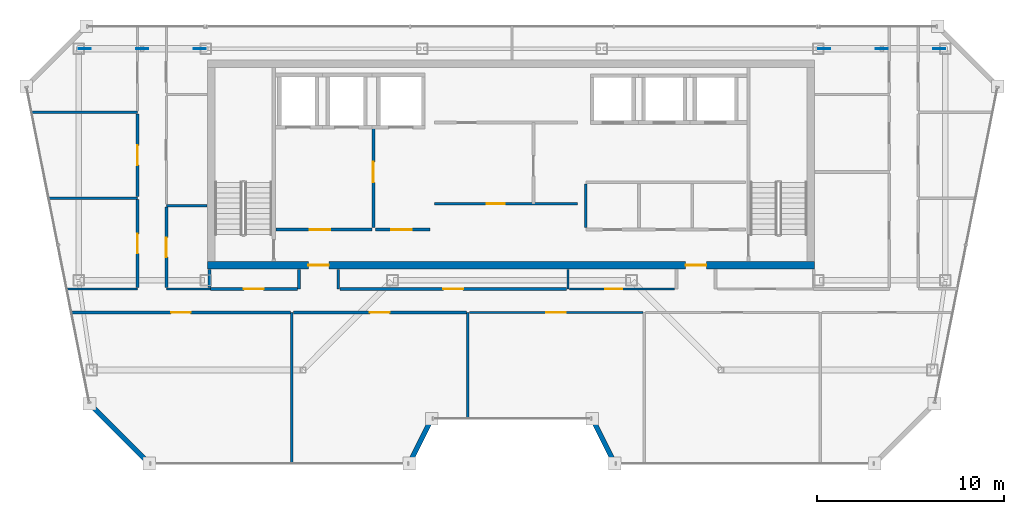
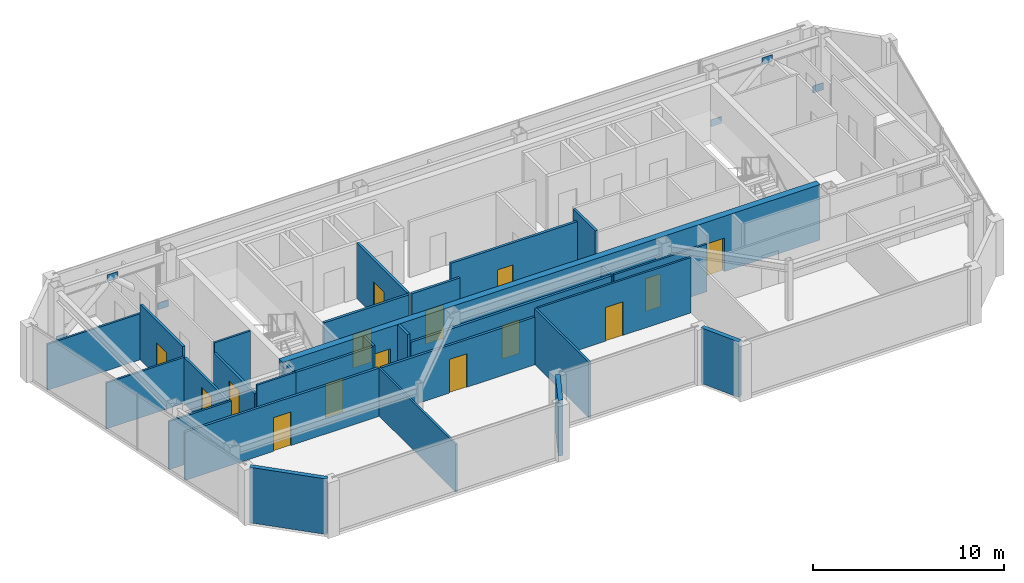
# One storey, part 18 of 24: 29 walls, 15 doors, 6 plates, 15 openings.
"""IFC4 building model written with IfcOpenShell, lengths in metres."""

import ifcopenshell
import ifcopenshell.guid

model = None  # the IFC model being written
_history = None  # IfcOwnerHistory: only IFC2X3 demands one
_inside = {}  # id of a spatial element -> (the spatial element, [elements in it])
_under = {}  # id of a project, library or spatial element -> (it, [spatial elements below it])
_declared = {}  # id of a project -> (the project, [libraries it declares])
_typed = {}  # id of a type object -> (the type object, [elements of that type])
_made_of = {}  # id of a material, layer set ... -> (it, [elements and type objects made of it])


def new_model(schema):
    """Start an empty IFC model of exactly this schema.

    Asked for "IFC4X3", IfcOpenShell would pick the latest addendum, in which some entities
    have other attributes; the version numbers below select the first issue.
    IFC2X3 requires an IfcOwnerHistory on every rooted entity: one is made here for all.
    """
    global model, _history
    if schema == "IFC4X3":
        model = ifcopenshell.file(schema_version=(4, 3, 0, 0))
    else:
        model = ifcopenshell.file(schema=schema)
    _inside.clear()
    _under.clear()
    _declared.clear()
    _typed.clear()
    _made_of.clear()
    _history = None
    if model.schema == "IFC2X3":
        org = make("IfcOrganization", Name="unknown")
        user = make(
            "IfcPersonAndOrganization",
            ThePerson=make("IfcPerson", FamilyName="unknown"),
            TheOrganization=org,
        )
        app = make(
            "IfcApplication",
            ApplicationDeveloper=org,
            Version="unknown",
            ApplicationFullName="unknown",
            ApplicationIdentifier="unknown",
        )
        _history = make(
            "IfcOwnerHistory",
            OwningUser=user,
            OwningApplication=app,
            ChangeAction="ADDED",
            CreationDate=0,
        )
    return model


def make(cls, **values):
    """One entity of the class cls with the attributes given. An attribute that is None is left unset."""
    return model.create_entity(
        cls, **{name: value for name, value in values.items() if value is not None}
    )


def rooted(cls, **values):
    """An entity with a GlobalId (a new one), such as an element, a storey or a relation."""
    return make(cls, GlobalId=ifcopenshell.guid.new(), OwnerHistory=_history, **values)


def si_unit(unit_type, name, prefix=None):
    """IfcSIUnit, for example si_unit("LENGTHUNIT", "METRE", prefix="MILLI")."""
    return make("IfcSIUnit", UnitType=unit_type, Prefix=prefix, Name=name)


def assignment(units):
    """IfcUnitAssignment: the units of a project."""
    return None if units is None else make("IfcUnitAssignment", Units=units)


def point(xyz):
    """IfcCartesianPoint."""
    return None if xyz is None else make("IfcCartesianPoint", Coordinates=xyz)


def direction(xyz):
    """IfcDirection."""
    return None if xyz is None else make("IfcDirection", DirectionRatios=xyz)


def frame(location, z_axis=None, x_axis=None):
    """IfcAxis2Placement3D, a coordinate frame: its origin and axes. An axis left out is left unset."""
    return make(
        "IfcAxis2Placement3D",
        Location=point(location),
        Axis=direction(z_axis),
        RefDirection=direction(x_axis),
    )


def frame_2d(location, x_axis=None):
    """IfcAxis2Placement2D, a coordinate frame in the plane: its origin and x axis."""
    return make(
        "IfcAxis2Placement2D", Location=point(location), RefDirection=direction(x_axis)
    )


def origin():
    """The frame at (0, 0, 0) with its axes left unset."""
    return frame((0.0, 0.0, 0.0))


def origin_2d():
    """The frame at (0, 0) in the plane with its x axis left unset."""
    return frame_2d((0.0, 0.0))


def place(relative_to, where):
    """IfcLocalPlacement: puts the frame where relative to a parent placement (None: the world)."""
    return make(
        "IfcLocalPlacement", PlacementRelTo=relative_to, RelativePlacement=where
    )


def context(
    kind, dimensions, precision=None, world=None, true_north=None, identifier=None
):
    """IfcGeometricRepresentationContext, for example the 3D "Model" context."""
    return make(
        "IfcGeometricRepresentationContext",
        ContextIdentifier=identifier,
        ContextType=kind,
        CoordinateSpaceDimension=dimensions,
        Precision=precision,
        WorldCoordinateSystem=world,
        TrueNorth=true_north,
    )


def subcontext(parent, identifier, kind, view, scale=None):
    """IfcGeometricRepresentationSubContext, for example "Body" below "Model"."""
    return make(
        "IfcGeometricRepresentationSubContext",
        ContextIdentifier=identifier,
        ContextType=kind,
        ParentContext=parent,
        TargetScale=scale,
        TargetView=view,
    )


def project(units=None, contexts=None):
    """IfcProject with its units and contexts."""
    return rooted(
        "IfcProject",
        Name="project",
        RepresentationContexts=contexts,
        UnitsInContext=assignment(units),
    )


def spatial(cls, under=None, at=None, **own):
    """A site, building, storey or space (cls), placed at a placement, below another one or the project."""
    s = rooted(cls, ObjectPlacement=at, **own)
    if under is not None:
        _under.setdefault(under.id(), (under, []))[1].append(s)
    return s


def profile(cls, at=None, kind="AREA", **sizes):
    """A parametric profile (cls). Its sizes go by their IFC names, for example OverallWidth=200.0."""
    return make(cls, ProfileType=kind, Position=at, **sizes)


def rectangle(**sizes):
    """IfcRectangleProfileDef."""
    return profile("IfcRectangleProfileDef", **sizes)


def extrude(swept, where, along, depth):
    """IfcExtrudedAreaSolid: the profile swept, set in the frame where, extruded along a direction by depth."""
    return make(
        "IfcExtrudedAreaSolid",
        SweptArea=swept,
        Position=where,
        ExtrudedDirection=direction(along),
        Depth=depth,
    )


def shape(context_of_items, identifier, shape_type, items):
    """IfcShapeRepresentation: the items that make up one representation, for example the "Body"."""
    return make(
        "IfcShapeRepresentation",
        ContextOfItems=context_of_items,
        RepresentationIdentifier=identifier,
        RepresentationType=shape_type,
        Items=items,
    )


def material(Name=None, Category=None):
    """IfcMaterial."""
    return make("IfcMaterial", Name=Name, Category=Category)


def layer(
    of_material, thickness, ventilated=None, Name=None, Category=None, Priority=None
):
    """IfcMaterialLayer: one layer of a wall or slab, of a material (None: an air gap)."""
    return make(
        "IfcMaterialLayer",
        Material=of_material,
        LayerThickness=thickness,
        IsVentilated=ventilated,
        Name=Name,
        Category=Category,
        Priority=Priority,
    )


def layer_set(layers, Name=None):
    """IfcMaterialLayerSet."""
    return make("IfcMaterialLayerSet", MaterialLayers=layers, LayerSetName=Name)


def made_of(thing, what):
    """Note that an element or type object is made of a material, layer set ...; save() writes the relation."""
    if what is not None:
        _made_of.setdefault(what.id(), (what, []))[1].append(thing)
    return thing


def type_object(cls, material=None, **own):
    """A type object (cls), such as IfcWallType, which elements share."""
    return made_of(rooted(cls, **own), material)


def element(
    cls,
    number,
    at=None,
    inside=None,
    cuts=None,
    type_object=None,
    material=None,
    context=None,
    identifier="Body",
    shape_type=None,
    held_by="IfcProductDefinitionShape",
    body=None,
    shapes=None,
    **own,
):
    """One element of the class cls, such as IfcWall. Its Tag is "e" and its number.

    at: its placement. inside: the storey or other place that contains it. cuts: it is an
    opening in that element (IfcRelVoidsElement). A single representation is given by context,
    identifier, shape_type and body (its items); several are given by shapes. held_by: the class
    of the entity that holds the representations. save() writes the other relations.
    """
    e = rooted(cls, Tag="e%d" % number, ObjectPlacement=at, **own)
    if body is not None:
        shapes = [shape(context, identifier, shape_type, body)]
    if shapes is not None:
        e.Representation = make(held_by, Representations=shapes)
    if inside is not None:
        _inside.setdefault(inside.id(), (inside, []))[1].append(e)
    if cuts is not None:
        rooted(
            "IfcRelVoidsElement", RelatingBuildingElement=cuts, RelatedOpeningElement=e
        )
    if type_object is not None:
        _typed.setdefault(type_object.id(), (type_object, []))[1].append(e)
    return made_of(e, material)


def fill(opening, filler):
    """IfcRelFillsElement: the door or window that sits in an opening."""
    return rooted(
        "IfcRelFillsElement",
        RelatingOpeningElement=opening,
        RelatedBuildingElement=filler,
    )


def aggregate(whole, parts):
    """IfcRelAggregates: a whole, such as a stair, and the parts it consists of."""
    return rooted("IfcRelAggregates", RelatingObject=whole, RelatedObjects=parts)


def save(model, path):
    """Write the relations noted so far, then the file.

    IfcRelAggregates (storeys below a building ...), IfcRelContainedInSpatialStructure (elements
    in a storey), IfcRelDefinesByType, IfcRelAssociatesMaterial and IfcRelDeclares: one each for
    every whole, place, type object, material and project.
    """
    for whole, parts in _under.values():
        aggregate(whole, parts)
    for where, things in _inside.values():
        rooted(
            "IfcRelContainedInSpatialStructure",
            RelatedElements=things,
            RelatingStructure=where,
        )
    for kind, things in _typed.values():
        rooted("IfcRelDefinesByType", RelatedObjects=things, RelatingType=kind)
    for what, things in _made_of.values():
        rooted("IfcRelAssociatesMaterial", RelatedObjects=things, RelatingMaterial=what)
    for by, libraries in _declared.values():
        rooted("IfcRelDeclares", RelatingContext=by, RelatedDefinitions=libraries)
    model.write(path)


model = new_model("IFC4")

# Units and contexts
model_context = context("Model", 3, precision=1e-05, world=origin(), true_north=direction((0.0, 1.0)))
body_context = subcontext(model_context, "Body", "Model", "MODEL_VIEW")
ifc_project = project(units=[si_unit("LENGTHUNIT", "METRE"), si_unit("AREAUNIT", "SQUARE_METRE"), si_unit("VOLUMEUNIT", "CUBIC_METRE"), si_unit("PLANEANGLEUNIT", "RADIAN"), si_unit("MASSUNIT", "GRAM", prefix="KILO")], contexts=[model_context])

# Site, building, storey
site_placement = place(None, origin())
site = spatial("IfcSite", under=ifc_project, at=site_placement, CompositionType="ELEMENT")
building_placement = place(site_placement, origin())
building = spatial("IfcBuilding", under=site, at=building_placement, Name="Saevonmaru Cultural Tower", CompositionType="ELEMENT")
storey_placement = place(building_placement, frame((0.0, 0.0, 299.0)))
storey = spatial("IfcBuildingStorey", under=building, at=storey_placement, Name="L71", CompositionType="ELEMENT", Elevation=299.0)

# Plates
ifc_material_1 = material(Name="Steel HSA600 (600 MPa)", Category="steel")
ifc_layer_1 = layer(ifc_material_1, 0.0400390625, Name="Steel HSA600 (600 MPa)")
ifc_layer_set_1 = layer_set([ifc_layer_1], Name="Steel HSA600 (600 MPa)")
plate_type = type_object("IfcPlateType", Name="PL-GUSSET-EXT", PredefinedType="USERDEFINED", material=ifc_layer_set_1)
for number, where, z_axis, x_axis, name in (
    (1, (10.199951171875, 54.800048828125, 2.900146484375), (0.0, 0.0, 1.0), (1.0, 0.0, 0.0), "L71 Perimeter Tube Gusset Plate"),
    (2, (7.1201171875, 54.800048828125, 0.02001953125), (0.0, 0.0, 1.0), (1.0, 0.0, 0.0), "L71 Perimeter Tube Gusset Plate"),
    (3, (13.280029296875, 54.800048828125, 0.02001953125), (0.0, 0.0, 1.0), (1.0, 0.0, 0.0), "L71 Perimeter Tube Gusset Plate"),
    (4, (49.800048828125, 54.800048828125, 2.900146484375), (0.0, 0.0, 1.0), (1.0, 0.0, 0.0), "L71 Perimeter Tube Gusset Plate"),
    (5, (46.719970703125, 54.800048828125, 0.02001953125), (0.0, 0.0, 1.0), (1.0, 0.0, 0.0), "L71 Perimeter Tube Gusset Plate"),
    (6, (52.8798828125, 54.800048828125, 0.02001953125), (0.0, 0.0, 1.0), (1.0, 0.0, 0.0), "L71 Perimeter Tube Gusset Plate"),
):
    element("IfcPlate", number, at=place(storey_placement, frame(where, z_axis=z_axis, x_axis=x_axis)), inside=storey, type_object=plate_type, Name=name, ObjectType="GUSSET_PLATE", PredefinedType="USERDEFINED", context=body_context, shape_type="SweptSolid", body=[
        extrude(rectangle(XDim=0.639892578125, YDim=0.0400390625, at=origin_2d()), origin(), (0.0, 0.0, 1.0), 0.43994140625),
    ])

# Wall, openings, doors
ifc_material_2 = material(Name="Concrete C50/60", Category="concrete")
ifc_layer_2 = layer(ifc_material_2, 0.39990234375, Name="Concrete C50/60")
ifc_layer_set_2 = layer_set([ifc_layer_2], Name="Concrete C50/60")
wall_type_1 = type_object("IfcWallType", Name="WL-CORE-400", PredefinedType="SHEAR", material=ifc_layer_set_2)
wall_1_placement = place(storey_placement, frame((13.699951171875, 43.199951171875, 0.0), z_axis=(0.0, 0.0, 1.0), x_axis=(1.0, 0.0, 0.0)))
wall_1 = element("IfcWall", 7, at=wall_1_placement, inside=storey, type_object=wall_type_1, Name="L71 Tower RC core shear wall S", PredefinedType="SHEAR", context=body_context, shape_type="SweptSolid", body=[
    extrude(rectangle(XDim=32.5, YDim=0.39990234375, at=frame_2d((16.25, 0.0))), origin(), (0.0, 0.0, 1.0), 3.550048828125),
])
opening_1_placement = place(wall_1_placement, frame((5.39990234375, 0.0, 0.0)))
opening_1 = element("IfcOpeningElement", 8, at=opening_1_placement, cuts=wall_1, Name="Opening FD-2", PredefinedType="OPENING", context=body_context, shape_type="SweptSolid", body=[
    extrude(rectangle(XDim=1.10009765625, YDim=2.14990234375, at=frame_2d((0.550048828125, 1.074951171875))), frame((0.0, 0.2099609375, 0.0), z_axis=(0.0, -1.0, 0.0), x_axis=(1.0, 0.0, 0.0)), (0.0, 0.0, 1.0), 0.419921875),
])
opening_2_placement = place(wall_1_placement, frame((25.60009765625, 0.0, 0.0)))
opening_2 = element("IfcOpeningElement", 9, at=opening_2_placement, cuts=wall_1, Name="Opening FD-2", PredefinedType="OPENING", context=body_context, shape_type="SweptSolid", body=[
    extrude(rectangle(XDim=1.10009765625, YDim=2.14990234375, at=frame_2d((0.550048828125, 1.074951171875))), frame((0.0, 0.2099609375, 0.0), z_axis=(0.0, -1.0, 0.0), x_axis=(1.0, 0.0, 0.0)), (0.0, 0.0, 1.0), 0.419921875),
])
ifc_material_3 = material(Name="Satin Bronze Anodised Aluminium", Category="aluminium")
door_type_1 = type_object("IfcDoorType", Name="DR-FD60-1100", OperationType="SINGLE_SWING_LEFT", PredefinedType="DOOR", material=ifc_material_3)
door_1_placement = place(opening_1_placement, origin())
door_1 = element("IfcDoor", 10, at=door_1_placement, inside=storey, type_object=door_type_1, Name="L71 Core West Lobby Fire Door", OperationType="SINGLE_SWING_LEFT", OverallHeight=2.14990234375, OverallWidth=1.10009765625, PredefinedType="DOOR", context=body_context, shape_type="SweptSolid", body=[
    extrude(rectangle(XDim=1.10009765625, YDim=2.14990234375, at=frame_2d((0.550048828125, 1.074951171875))), frame((0.0, 0.02490234375, 0.0), z_axis=(0.0, -1.0, 0.0), x_axis=(1.0, 0.0, 0.0)), (0.0, 0.0, 1.0), 0.050048828125),
])
fill(opening_1, door_1)
door_2_placement = place(opening_2_placement, origin())
door_2 = element("IfcDoor", 11, at=door_2_placement, inside=storey, type_object=door_type_1, Name="L71 Core East Lobby Fire Door", OperationType="SINGLE_SWING_LEFT", OverallHeight=2.14990234375, OverallWidth=1.10009765625, PredefinedType="DOOR", context=body_context, shape_type="SweptSolid", body=[
    extrude(rectangle(XDim=1.10009765625, YDim=2.14990234375, at=frame_2d((0.550048828125, 1.074951171875))), frame((0.0, 0.02490234375, 0.0), z_axis=(0.0, -1.0, 0.0), x_axis=(1.0, 0.0, 0.0)), (0.0, 0.0, 1.0), 0.050048828125),
])
fill(opening_2, door_2)

# Wall, opening, door
ifc_material_4 = material(Name="Gypsum Fireboard Partition", Category="gypsum")
ifc_layer_3 = layer(ifc_material_4, 0.14990234375, Name="Gypsum Fireboard Partition")
ifc_layer_set_3 = layer_set([ifc_layer_3], Name="Gypsum Fireboard Partition")
wall_type_2 = type_object("IfcWallType", Name="WL-CORE-PART-150", PredefinedType="PARTITIONING", material=ifc_layer_set_3)
wall_2_placement = place(storey_placement, frame((17.360107421875, 45.1201171875, 0.0), z_axis=(0.0, 0.0, 1.0), x_axis=(1.0, 0.0, 0.0)))
wall_2 = element("IfcWall", 12, at=wall_2_placement, inside=storey, type_object=wall_type_2, Name="L71 Firefighting Lift Lobby South Wall", PredefinedType="PARTITIONING", context=body_context, shape_type="SweptSolid", body=[
    extrude(rectangle(XDim=5.139892578125, YDim=0.14990234375, at=frame_2d((2.56982421875, 0.0))), origin(), (0.0, 0.0, 1.0), 3.550048828125),
])
opening_3_placement = place(wall_2_placement, frame((1.800048828125, 0.0, 0.0)))
opening_3 = element("IfcOpeningElement", 13, at=opening_3_placement, cuts=wall_2, Name="Opening FD-2", PredefinedType="OPENING", context=body_context, shape_type="SweptSolid", body=[
    extrude(rectangle(XDim=1.10009765625, YDim=2.14990234375, at=frame_2d((0.550048828125, 1.074951171875))), frame((0.0, 0.0849609375, 0.0), z_axis=(0.0, -1.0, 0.0), x_axis=(1.0, 0.0, 0.0)), (0.0, 0.0, 1.0), 0.169921875),
])
door_3_placement = place(opening_3_placement, origin())
door_3 = element("IfcDoor", 14, at=door_3_placement, inside=storey, type_object=door_type_1, Name="L71 Firefighting Lift Lobby South Door", OperationType="SINGLE_SWING_LEFT", OverallHeight=2.14990234375, OverallWidth=1.10009765625, PredefinedType="DOOR", context=body_context, shape_type="SweptSolid", body=[
    extrude(rectangle(XDim=1.10009765625, YDim=2.14990234375, at=frame_2d((0.550048828125, 1.074951171875))), frame((0.0, 0.02490234375, 0.0), z_axis=(0.0, -1.0, 0.0), x_axis=(1.0, 0.0, 0.0)), (0.0, 0.0, 1.0), 0.050048828125),
])
fill(opening_3, door_3)

wall_3_placement = place(storey_placement, frame((22.580078125, 50.550048828125, 0.0), z_axis=(0.0, 0.0, 1.0), x_axis=(0.0, -1.0, 0.0)))
wall_3 = element("IfcWall", 15, at=wall_3_placement, inside=storey, type_object=wall_type_2, Name="L71 Firefighting Lift Lobby East Wall", PredefinedType="PARTITIONING", context=body_context, shape_type="SweptSolid", body=[
    extrude(rectangle(XDim=5.330078125, YDim=0.14990234375, at=frame_2d((2.6650390625, 0.0))), origin(), (0.0, 0.0, 1.0), 3.550048828125),
])
opening_4_placement = place(wall_3_placement, frame((1.800048828125, 0.0, 0.0)))
opening_4 = element("IfcOpeningElement", 16, at=opening_4_placement, cuts=wall_3, Name="Opening FD-2", PredefinedType="OPENING", context=body_context, shape_type="SweptSolid", body=[
    extrude(rectangle(XDim=1.10009765625, YDim=2.14990234375, at=frame_2d((0.550048828125, 1.074951171875))), frame((0.0, 0.0849609375, 0.0), z_axis=(0.0, -1.0, 0.0), x_axis=(1.0, 0.0, 0.0)), (0.0, 0.0, 1.0), 0.169921875),
])
door_4_placement = place(opening_4_placement, origin())
door_4 = element("IfcDoor", 17, at=door_4_placement, inside=storey, type_object=door_type_1, Name="L71 Firefighting Lift Lobby East Door", OperationType="SINGLE_SWING_LEFT", OverallHeight=2.14990234375, OverallWidth=1.10009765625, PredefinedType="DOOR", context=body_context, shape_type="SweptSolid", body=[
    extrude(rectangle(XDim=1.10009765625, YDim=2.14990234375, at=frame_2d((0.550048828125, 1.074951171875))), frame((0.0, 0.02490234375, 0.0), z_axis=(0.0, -1.0, 0.0), x_axis=(1.0, 0.0, 0.0)), (0.0, 0.0, 1.0), 0.050048828125),
])
fill(opening_4, door_4)

wall_4_placement = place(storey_placement, frame((22.679931640625, 45.1201171875, 0.0), z_axis=(0.0, 0.0, 1.0), x_axis=(1.0, 0.0, 0.0)))
wall_4 = element("IfcWall", 18, at=wall_4_placement, inside=storey, type_object=wall_type_2, Name="L71 Service Lift Vestibule Wall", PredefinedType="PARTITIONING", context=body_context, shape_type="SweptSolid", body=[
    extrude(rectangle(XDim=2.920166015625, YDim=0.14990234375, at=frame_2d((1.4599609375, 0.0))), origin(), (0.0, 0.0, 1.0), 3.550048828125),
])
opening_5_placement = place(wall_4_placement, frame((0.85009765625, 0.0, 0.0)))
opening_5 = element("IfcOpeningElement", 19, at=opening_5_placement, cuts=wall_4, Name="Opening FD-2", PredefinedType="OPENING", context=body_context, shape_type="SweptSolid", body=[
    extrude(rectangle(XDim=1.10009765625, YDim=2.14990234375, at=frame_2d((0.550048828125, 1.074951171875))), frame((0.0, 0.0849609375, 0.0), z_axis=(0.0, -1.0, 0.0), x_axis=(1.0, 0.0, 0.0)), (0.0, 0.0, 1.0), 0.169921875),
])
door_5_placement = place(opening_5_placement, origin())
door_5 = element("IfcDoor", 20, at=door_5_placement, inside=storey, type_object=door_type_1, Name="L71 Service Lift Vestibule Door", OperationType="SINGLE_SWING_LEFT", OverallHeight=2.14990234375, OverallWidth=1.10009765625, PredefinedType="DOOR", context=body_context, shape_type="SweptSolid", body=[
    extrude(rectangle(XDim=1.10009765625, YDim=2.14990234375, at=frame_2d((0.550048828125, 1.074951171875))), frame((0.0, 0.02490234375, 0.0), z_axis=(0.0, -1.0, 0.0), x_axis=(1.0, 0.0, 0.0)), (0.0, 0.0, 1.0), 0.050048828125),
])
fill(opening_5, door_5)

# Wall
wall_5_placement = place(storey_placement, frame((33.949951171875, 45.219970703125, 0.0), z_axis=(0.0, 0.0, 1.0), x_axis=(0.0, 1.0, 0.0)))
element("IfcWall", 21, at=wall_5_placement, inside=storey, type_object=wall_type_2, Name="L71 Core Utility West Wall", PredefinedType="PARTITIONING", context=body_context, shape_type="SweptSolid", body=[
    extrude(rectangle(XDim=2.330078125, YDim=0.14990234375, at=frame_2d((1.1650390625, 0.0))), origin(), (0.0, 0.0, 1.0), 3.550048828125),
])

# Wall, opening, door
wall_6_placement = place(storey_placement, frame((25.85009765625, 46.5, 0.0), z_axis=(0.0, 0.0, 1.0), x_axis=(1.0, 0.0, 0.0)))
wall_6 = element("IfcWall", 22, at=wall_6_placement, inside=storey, type_object=wall_type_2, Name="L71 Reclaimed Mid-Shaft Wall", PredefinedType="PARTITIONING", context=body_context, shape_type="SweptSolid", body=[
    extrude(rectangle(XDim=7.64990234375, YDim=0.14990234375, at=frame_2d((3.824951171875, 0.0))), origin(), (0.0, 0.0, 1.0), 3.550048828125),
])
opening_6_placement = place(wall_6_placement, frame((2.800048828125, 0.0, 0.0)))
opening_6 = element("IfcOpeningElement", 23, at=opening_6_placement, cuts=wall_6, Name="Opening FD-4", PredefinedType="OPENING", context=body_context, shape_type="SweptSolid", body=[
    extrude(rectangle(XDim=0.949951171875, YDim=2.14990234375, at=frame_2d((0.47509765625, 1.074951171875))), frame((0.0, 0.0849609375, 0.0), z_axis=(0.0, -1.0, 0.0), x_axis=(1.0, 0.0, 0.0)), (0.0, 0.0, 1.0), 0.169921875),
])
door_type_2 = type_object("IfcDoorType", Name="DR-FD60-950", OperationType="SINGLE_SWING_LEFT", PredefinedType="DOOR", material=ifc_material_3)
door_6_placement = place(opening_6_placement, origin())
door_6 = element("IfcDoor", 24, at=door_6_placement, inside=storey, type_object=door_type_2, Name="L71 Reclaimed Manuscript Storage Door", OperationType="SINGLE_SWING_LEFT", OverallHeight=2.14990234375, OverallWidth=0.949951171875, PredefinedType="DOOR", context=body_context, shape_type="SweptSolid", body=[
    extrude(rectangle(XDim=0.949951171875, YDim=2.14990234375, at=frame_2d((0.47509765625, 1.074951171875))), frame((0.0, 0.02490234375, 0.0), z_axis=(0.0, -1.0, 0.0), x_axis=(1.0, 0.0, 0.0)), (0.0, 0.0, 1.0), 0.050048828125),
])
fill(opening_6, door_6)

# Walls
ifc_material_5 = material(Name="Granite-Clad Precast Concrete C40/50", Category="masonry")
ifc_layer_4 = layer(ifc_material_5, 0.260009765625, Name="Granite-Clad Precast Concrete C40/50")
ifc_layer_set_4 = layer_set([ifc_layer_4], Name="Granite-Clad Precast Concrete C40/50")
wall_type_3 = type_object("IfcWallType", Name="WL-EXT-SPANDREL-260", PredefinedType="STANDARD", material=ifc_layer_set_4)
wall_7_placement = place(storey_placement, frame((7.4931640625, 35.68701171875, 0.0), z_axis=(0.0, 0.0, 1.0), x_axis=(0.70707775441, -0.707135806771, 0.0)))
element("IfcWall", 25, at=wall_7_placement, inside=storey, type_object=wall_type_3, Name="L71 Chamfer Corner Spandrel Wall E1", PredefinedType="STANDARD", context=body_context, shape_type="SweptSolid", body=[
    extrude(rectangle(XDim=4.20556640625, YDim=0.260009765625, at=frame_2d((2.102783203125, 0.0))), origin(), (0.0, 0.0, 1.0), 3.550048828125),
])
for number, where, z_axis, x_axis, name in (
    (26, (24.571533203125, 32.7431640625, 0.0), (0.0, 0.0, 1.0), (0.4472135955, 0.894427191, 0.0), "L71 Chamfer Corner Spandrel Wall E3"),
    (27, (34.37158203125, 34.85693359375, 0.0), (0.0, 0.0, 1.0), (0.4472135955, -0.894427191, 0.0), "L71 Chamfer Corner Spandrel Wall E5"),
):
    element("IfcWall", number, at=place(storey_placement, frame(where, z_axis=z_axis, x_axis=x_axis)), inside=storey, type_object=wall_type_3, Name=name, PredefinedType="STANDARD", context=body_context, shape_type="SweptSolid", body=[
        extrude(rectangle(XDim=2.36328125, YDim=0.260009765625, at=frame_2d((1.181640625, 0.0))), origin(), (0.0, 0.0, 1.0), 3.550048828125),
    ])

# Wall, opening, door
ifc_layer_5 = layer(ifc_material_4, 0.14990234375, Name="Gypsum Fireboard Partition")
ifc_layer_set_5 = layer_set([ifc_layer_5], Name="Gypsum Fireboard Partition")
wall_type_4 = type_object("IfcWallType", Name="WL-PART-FIRE-150", PredefinedType="PARTITIONING", material=ifc_layer_set_5)
wall_8_placement = place(storey_placement, frame((9.949951171875, 42.02001953125, 0.0), z_axis=(0.0, 0.0, 1.0), x_axis=(0.0, 1.0, 0.0)))
wall_8 = element("IfcWall", 28, at=wall_8_placement, inside=storey, type_object=wall_type_4, Name="L71 Sky Observatory Gallery Corridor Wall", PredefinedType="PARTITIONING", context=body_context, shape_type="SweptSolid", body=[
    extrude(rectangle(XDim=4.699951171875, YDim=0.14990234375, at=frame_2d((2.35009765625, 0.0))), origin(), (0.0, 0.0, 1.0), 2.947021484375),
])
opening_7_placement = place(wall_8_placement, frame((1.824951171875, 0.0, 0.0)))
opening_7 = element("IfcOpeningElement", 29, at=opening_7_placement, cuts=wall_8, Name="Opening ID-1", PredefinedType="OPENING", context=body_context, shape_type="SweptSolid", body=[
    extrude(rectangle(XDim=1.050048828125, YDim=2.14990234375, at=frame_2d((0.52490234375, 1.074951171875))), frame((0.0, 0.0849609375, 0.0), z_axis=(0.0, -1.0, 0.0), x_axis=(1.0, 0.0, 0.0)), (0.0, 0.0, 1.0), 0.169921875),
])
door_type_3 = type_object("IfcDoorType", Name="DR-INT-1050", OperationType="SINGLE_SWING_LEFT", PredefinedType="DOOR", material=ifc_material_3)
door_7_placement = place(opening_7_placement, origin())
door_7 = element("IfcDoor", 30, at=door_7_placement, inside=storey, type_object=door_type_3, Name="L71 Sky Observatory Gallery Door", OperationType="SINGLE_SWING_RIGHT", OverallHeight=2.14990234375, OverallWidth=1.050048828125, PredefinedType="DOOR", context=body_context, shape_type="SweptSolid", body=[
    extrude(rectangle(XDim=1.050048828125, YDim=2.14990234375, at=frame_2d((0.52490234375, 1.074951171875))), frame((0.0, 0.02490234375, 0.0), z_axis=(0.0, -1.0, 0.0), x_axis=(1.0, 0.0, 0.0)), (0.0, 0.0, 1.0), 0.050048828125),
])
fill(opening_7, door_7)

wall_9_placement = place(storey_placement, frame((9.949951171875, 46.8798828125, 0.0), z_axis=(0.0, 0.0, 1.0), x_axis=(0.0, 1.0, 0.0)))
wall_9 = element("IfcWall", 31, at=wall_9_placement, inside=storey, type_object=wall_type_4, Name="L71 Skyline Exhibition Gallery Corridor Wall", PredefinedType="PARTITIONING", context=body_context, shape_type="SweptSolid", body=[
    extrude(rectangle(XDim=4.440185546875, YDim=0.14990234375, at=frame_2d((2.22021484375, 0.0))), origin(), (0.0, 0.0, 1.0), 3.550048828125),
])
opening_8_placement = place(wall_9_placement, frame((1.695068359375, 0.0, 0.0)))
opening_8 = element("IfcOpeningElement", 32, at=opening_8_placement, cuts=wall_9, Name="Opening ID-1", PredefinedType="OPENING", context=body_context, shape_type="SweptSolid", body=[
    extrude(rectangle(XDim=1.050048828125, YDim=2.14990234375, at=frame_2d((0.52490234375, 1.074951171875))), frame((0.0, 0.0849609375, 0.0), z_axis=(0.0, -1.0, 0.0), x_axis=(1.0, 0.0, 0.0)), (0.0, 0.0, 1.0), 0.169921875),
])
door_8_placement = place(opening_8_placement, origin())
door_8 = element("IfcDoor", 33, at=door_8_placement, inside=storey, type_object=door_type_3, Name="L71 Skyline Exhibition Gallery Door", OperationType="SINGLE_SWING_LEFT", OverallHeight=2.14990234375, OverallWidth=1.050048828125, PredefinedType="DOOR", context=body_context, shape_type="SweptSolid", body=[
    extrude(rectangle(XDim=1.050048828125, YDim=2.14990234375, at=frame_2d((0.52490234375, 1.074951171875))), frame((0.0, 0.02490234375, 0.0), z_axis=(0.0, -1.0, 0.0), x_axis=(1.0, 0.0, 0.0)), (0.0, 0.0, 1.0), 0.050048828125),
])
fill(opening_8, door_8)

wall_10_placement = place(storey_placement, frame((11.5, 42.02001953125, 0.0), z_axis=(0.0, 0.0, 1.0), x_axis=(0.0, 1.0, 0.0)))
wall_10 = element("IfcWall", 34, at=wall_10_placement, inside=storey, type_object=wall_type_4, Name="L71 Skyline Exhibition Gallery Corridor Wall", PredefinedType="PARTITIONING", context=body_context, shape_type="SweptSolid", body=[
    extrude(rectangle(XDim=4.300048828125, YDim=0.14990234375, at=frame_2d((2.14990234375, 0.0))), origin(), (0.0, 0.0, 1.0), 2.947021484375),
])
opening_9_placement = place(wall_10_placement, frame((1.625, 0.0, 0.0)))
opening_9 = element("IfcOpeningElement", 35, at=opening_9_placement, cuts=wall_10, Name="Opening ID-1", PredefinedType="OPENING", context=body_context, shape_type="SweptSolid", body=[
    extrude(rectangle(XDim=1.050048828125, YDim=2.14990234375, at=frame_2d((0.52490234375, 1.074951171875))), frame((0.0, 0.0849609375, 0.0), z_axis=(0.0, -1.0, 0.0), x_axis=(1.0, 0.0, 0.0)), (0.0, 0.0, 1.0), 0.169921875),
])
door_9_placement = place(opening_9_placement, origin())
door_9 = element("IfcDoor", 36, at=door_9_placement, inside=storey, type_object=door_type_3, Name="L71 Skyline Exhibition Gallery Door", OperationType="SINGLE_SWING_LEFT", OverallHeight=2.14990234375, OverallWidth=1.050048828125, PredefinedType="DOOR", context=body_context, shape_type="SweptSolid", body=[
    extrude(rectangle(XDim=1.050048828125, YDim=2.14990234375, at=frame_2d((0.52490234375, 1.074951171875))), frame((0.0, 0.02490234375, 0.0), z_axis=(0.0, -1.0, 0.0), x_axis=(1.0, 0.0, 0.0)), (0.0, 0.0, 1.0), 0.050048828125),
])
fill(opening_9, door_9)

# Walls
wall_11_placement = place(storey_placement, frame((13.800048828125, 42.02001953125, 0.0), z_axis=(0.0, 0.0, 1.0), x_axis=(0.0, 1.0, 0.0)))
element("IfcWall", 37, at=wall_11_placement, inside=storey, type_object=wall_type_4, Name="L71 Core Portal Side Wall W0", PredefinedType="PARTITIONING", context=body_context, shape_type="SweptSolid", body=[
    extrude(rectangle(XDim=0.9599609375, YDim=0.14990234375, at=frame_2d((0.47998046875, 0.0))), origin(), (0.0, 0.0, 1.0), 3.550048828125),
])
for number, where, z_axis, x_axis, name in (
    (38, (18.60009765625, 41.93994140625, 0.0), (0.0, 0.0, 1.0), (0.0, 1.0, 0.0), "L71 Core Portal Side Wall W1"),
    (39, (20.699951171875, 41.93994140625, 0.0), (0.0, 0.0, 1.0), (0.0, 1.0, 0.0), "L71 Core Portal Side Wall W2"),
):
    element("IfcWall", number, at=place(storey_placement, frame(where, z_axis=z_axis, x_axis=x_axis)), inside=storey, type_object=wall_type_4, Name=name, PredefinedType="PARTITIONING", context=body_context, shape_type="SweptSolid", body=[
        extrude(rectangle(XDim=1.0400390625, YDim=0.14990234375, at=frame_2d((0.52001953125, 0.0))), origin(), (0.0, 0.0, 1.0), 3.550048828125),
    ])

# Wall, opening, door
wall_12_placement = place(storey_placement, frame((13.85009765625, 41.93994140625, 0.0), z_axis=(0.0, 0.0, 1.0), x_axis=(1.0, 0.0, 0.0)))
wall_12 = element("IfcWall", 40, at=wall_12_placement, inside=storey, type_object=wall_type_4, Name="L71 Sky Observatory Gallery Corridor Wall", PredefinedType="PARTITIONING", context=body_context, shape_type="SweptSolid", body=[
    extrude(rectangle(XDim=4.65478515625, YDim=0.14990234375, at=frame_2d((2.327392578125, 0.0))), origin(), (0.0, 0.0, 1.0), 3.550048828125),
])
opening_10_placement = place(wall_12_placement, frame((1.802001953125, 0.0, 0.0)))
opening_10 = element("IfcOpeningElement", 41, at=opening_10_placement, cuts=wall_12, Name="Opening ID-1", PredefinedType="OPENING", context=body_context, shape_type="SweptSolid", body=[
    extrude(rectangle(XDim=1.050048828125, YDim=2.14990234375, at=frame_2d((0.52490234375, 1.074951171875))), frame((0.0, 0.0849609375, 0.0), z_axis=(0.0, -1.0, 0.0), x_axis=(1.0, 0.0, 0.0)), (0.0, 0.0, 1.0), 0.169921875),
])
door_10_placement = place(opening_10_placement, origin())
door_10 = element("IfcDoor", 42, at=door_10_placement, inside=storey, type_object=door_type_3, Name="L71 Sky Observatory Gallery Door", OperationType="SINGLE_SWING_RIGHT", OverallHeight=2.14990234375, OverallWidth=1.050048828125, PredefinedType="DOOR", context=body_context, shape_type="SweptSolid", body=[
    extrude(rectangle(XDim=1.050048828125, YDim=2.14990234375, at=frame_2d((0.52490234375, 1.074951171875))), frame((0.0, 0.02490234375, 0.0), z_axis=(0.0, -1.0, 0.0), x_axis=(1.0, 0.0, 0.0)), (0.0, 0.0, 1.0), 0.050048828125),
])
fill(opening_10, door_10)

wall_13_placement = place(storey_placement, frame((20.794921875, 41.93994140625, 0.0), z_axis=(0.0, 0.0, 1.0), x_axis=(1.0, 0.0, 0.0)))
wall_13 = element("IfcWall", 43, at=wall_13_placement, inside=storey, type_object=wall_type_4, Name="L71 Sky Observatory Gallery Corridor Wall", PredefinedType="PARTITIONING", context=body_context, shape_type="SweptSolid", body=[
    extrude(rectangle(XDim=12.125, YDim=0.14990234375, at=frame_2d((6.0625, 0.0))), origin(), (0.0, 0.0, 1.0), 3.047119140625),
])
opening_11_placement = place(wall_13_placement, frame((5.537109375, 0.0, 0.0)))
opening_11 = element("IfcOpeningElement", 44, at=opening_11_placement, cuts=wall_13, Name="Opening ID-1", PredefinedType="OPENING", context=body_context, shape_type="SweptSolid", body=[
    extrude(rectangle(XDim=1.050048828125, YDim=2.14990234375, at=frame_2d((0.52490234375, 1.074951171875))), frame((0.0, 0.0849609375, 0.0), z_axis=(0.0, -1.0, 0.0), x_axis=(1.0, 0.0, 0.0)), (0.0, 0.0, 1.0), 0.169921875),
])
door_11_placement = place(opening_11_placement, origin())
door_11 = element("IfcDoor", 45, at=door_11_placement, inside=storey, type_object=door_type_3, Name="L71 Sky Observatory Gallery Door", OperationType="SINGLE_SWING_LEFT", OverallHeight=2.14990234375, OverallWidth=1.050048828125, PredefinedType="DOOR", context=body_context, shape_type="SweptSolid", body=[
    extrude(rectangle(XDim=1.050048828125, YDim=2.14990234375, at=frame_2d((0.52490234375, 1.074951171875))), frame((0.0, 0.02490234375, 0.0), z_axis=(0.0, -1.0, 0.0), x_axis=(1.0, 0.0, 0.0)), (0.0, 0.0, 1.0), 0.050048828125),
])
fill(opening_11, door_11)

wall_14_placement = place(storey_placement, frame((6.414794921875, 40.679931640625, 0.0), z_axis=(0.0, 0.0, 1.0), x_axis=(1.0, 0.0, 0.0)))
wall_14 = element("IfcWall", 46, at=wall_14_placement, inside=storey, type_object=wall_type_4, Name="L71 Sky Observatory Gallery Corridor Wall", PredefinedType="PARTITIONING", context=body_context, shape_type="SweptSolid", body=[
    extrude(rectangle(XDim=11.715087890625, YDim=0.14990234375, at=frame_2d((5.857421875, 0.0))), origin(), (0.0, 0.0, 1.0), 3.0849609375),
])
opening_12_placement = place(wall_14_placement, frame((5.3330078125, 0.0, 0.0)))
opening_12 = element("IfcOpeningElement", 47, at=opening_12_placement, cuts=wall_14, Name="Opening ID-1", PredefinedType="OPENING", context=body_context, shape_type="SweptSolid", body=[
    extrude(rectangle(XDim=1.050048828125, YDim=2.14990234375, at=frame_2d((0.52490234375, 1.074951171875))), frame((0.0, 0.0849609375, 0.0), z_axis=(0.0, -1.0, 0.0), x_axis=(1.0, 0.0, 0.0)), (0.0, 0.0, 1.0), 0.169921875),
])
door_12_placement = place(opening_12_placement, origin())
door_12 = element("IfcDoor", 48, at=door_12_placement, inside=storey, type_object=door_type_3, Name="L71 Sky Observatory Gallery Door", OperationType="SINGLE_SWING_RIGHT", OverallHeight=2.14990234375, OverallWidth=1.050048828125, PredefinedType="DOOR", context=body_context, shape_type="SweptSolid", body=[
    extrude(rectangle(XDim=1.050048828125, YDim=2.14990234375, at=frame_2d((0.52490234375, 1.074951171875))), frame((0.0, 0.02490234375, 0.0), z_axis=(0.0, -1.0, 0.0), x_axis=(1.0, 0.0, 0.0)), (0.0, 0.0, 1.0), 0.050048828125),
])
fill(opening_12, door_12)

wall_15_placement = place(storey_placement, frame((18.2900390625, 40.679931640625, 0.0), z_axis=(0.0, 0.0, 1.0), x_axis=(1.0, 0.0, 0.0)))
wall_15 = element("IfcWall", 49, at=wall_15_placement, inside=storey, type_object=wall_type_4, Name="L71 Skyline Exhibition Gallery Corridor Wall", PredefinedType="PARTITIONING", context=body_context, shape_type="SweptSolid", body=[
    extrude(rectangle(XDim=9.262451171875, YDim=0.14990234375, at=frame_2d((4.63134765625, 0.0))), origin(), (0.0, 0.0, 1.0), 3.047119140625),
])
opening_13_placement = place(wall_15_placement, frame((4.10595703125, 0.0, 0.0)))
opening_13 = element("IfcOpeningElement", 50, at=opening_13_placement, cuts=wall_15, Name="Opening ID-1", PredefinedType="OPENING", context=body_context, shape_type="SweptSolid", body=[
    extrude(rectangle(XDim=1.050048828125, YDim=2.14990234375, at=frame_2d((0.52490234375, 1.074951171875))), frame((0.0, 0.0849609375, 0.0), z_axis=(0.0, -1.0, 0.0), x_axis=(1.0, 0.0, 0.0)), (0.0, 0.0, 1.0), 0.169921875),
])
door_13_placement = place(opening_13_placement, origin())
door_13 = element("IfcDoor", 51, at=door_13_placement, inside=storey, type_object=door_type_3, Name="L71 Skyline Exhibition Gallery Door", OperationType="SINGLE_SWING_LEFT", OverallHeight=2.14990234375, OverallWidth=1.050048828125, PredefinedType="DOOR", context=body_context, shape_type="SweptSolid", body=[
    extrude(rectangle(XDim=1.050048828125, YDim=2.14990234375, at=frame_2d((0.52490234375, 1.074951171875))), frame((0.0, 0.02490234375, 0.0), z_axis=(0.0, -1.0, 0.0), x_axis=(1.0, 0.0, 0.0)), (0.0, 0.0, 1.0), 0.050048828125),
])
fill(opening_13, door_13)

# Walls
ifc_layer_6 = layer(ifc_material_4, 0.1201171875, Name="Gypsum Fireboard Partition")
ifc_layer_set_6 = layer_set([ifc_layer_6], Name="Gypsum Fireboard Partition")
wall_type_5 = type_object("IfcWallType", Name="WL-PART-GYP-120", PredefinedType="PARTITIONING", material=ifc_layer_set_6)
wall_16_placement = place(storey_placement, frame((6.164306640625, 41.93994140625, 0.0), z_axis=(0.0, 0.0, 1.0), x_axis=(1.0, 0.0, 0.0)))
element("IfcWall", 52, at=wall_16_placement, inside=storey, type_object=wall_type_5, Name="L71 NW Wing South Wall", PredefinedType="PARTITIONING", context=body_context, shape_type="SweptSolid", body=[
    extrude(rectangle(XDim=3.78564453125, YDim=0.1201171875, at=frame_2d((1.892822265625, 0.0))), origin(), (0.0, 0.0, 1.0), 3.0849609375),
])
wall_17_placement = place(storey_placement, frame((11.5, 41.93994140625, 0.0), z_axis=(0.0, 0.0, 1.0), x_axis=(1.0, 0.0, 0.0)))
element("IfcWall", 53, at=wall_17_placement, inside=storey, type_object=wall_type_5, Name="L71 NW Inner South Wall", PredefinedType="PARTITIONING", context=body_context, shape_type="SweptSolid", body=[
    extrude(rectangle(XDim=2.35009765625, YDim=0.1201171875, at=frame_2d((1.175048828125, 0.0))), origin(), (0.0, 0.0, 1.0), 3.550048828125),
])
wall_18_placement = place(storey_placement, frame((5.197998046875, 46.800048828125, 0.0), z_axis=(0.0, 0.0, 1.0), x_axis=(1.0, 0.0, 0.0)))
element("IfcWall", 54, at=wall_18_placement, inside=storey, type_object=wall_type_5, Name="L71 NW Studio Divider 1", PredefinedType="PARTITIONING", context=body_context, shape_type="SweptSolid", body=[
    extrude(rectangle(XDim=4.751953125, YDim=0.1201171875, at=frame_2d((2.3759765625, 0.0))), origin(), (0.0, 0.0, 1.0), 2.947021484375),
])
wall_19_placement = place(storey_placement, frame((4.283447265625, 51.39990234375, 0.0), z_axis=(0.0, 0.0, 1.0), x_axis=(1.0, 0.0, 0.0)))
element("IfcWall", 55, at=wall_19_placement, inside=storey, type_object=wall_type_5, Name="L71 NW Studio Divider 2", PredefinedType="PARTITIONING", context=body_context, shape_type="SweptSolid", body=[
    extrude(rectangle(XDim=5.66650390625, YDim=0.1201171875, at=frame_2d((2.833251953125, 0.0))), origin(), (0.0, 0.0, 1.0), 2.947021484375),
])
wall_20_placement = place(storey_placement, frame((11.5, 46.39990234375, 0.0), z_axis=(0.0, 0.0, 1.0), x_axis=(1.0, 0.0, 0.0)))
element("IfcWall", 56, at=wall_20_placement, inside=storey, type_object=wall_type_5, Name="L71 NW Inner Divider", PredefinedType="PARTITIONING", context=body_context, shape_type="SweptSolid", body=[
    extrude(rectangle(XDim=2.179931640625, YDim=0.1201171875, at=frame_2d((1.08984375, 0.0))), origin(), (0.0, 0.0, 1.0), 3.550048828125),
])
wall_21_placement = place(storey_placement, frame((33.0, 41.93994140625, 0.0), z_axis=(0.0, 0.0, 1.0), x_axis=(0.0, 1.0, 0.0)))
element("IfcWall", 57, at=wall_21_placement, inside=storey, type_object=wall_type_5, Name="L71 Spine Alcove Split", PredefinedType="PARTITIONING", context=body_context, shape_type="SweptSolid", body=[
    extrude(rectangle(XDim=1.0400390625, YDim=0.1201171875, at=frame_2d((0.52001953125, 0.0))), origin(), (0.0, 0.0, 1.0), 2.947021484375),
])

# Wall, opening, door
wall_22_placement = place(storey_placement, frame((33.080078125, 41.93994140625, 0.0), z_axis=(0.0, 0.0, 1.0), x_axis=(1.0, 0.0, 0.0)))
wall_22 = element("IfcWall", 58, at=wall_22_placement, inside=storey, type_object=wall_type_5, Name="L71 Editorial Fellows Office Corridor Wall", PredefinedType="PARTITIONING", context=body_context, shape_type="SweptSolid", body=[
    extrude(rectangle(XDim=5.625, YDim=0.1201171875, at=frame_2d((2.8125, 0.0))), origin(), (0.0, 0.0, 1.0), 3.047119140625),
])
opening_14_placement = place(wall_22_placement, frame((1.923095703125, 0.0, 0.0)))
opening_14 = element("IfcOpeningElement", 59, at=opening_14_placement, cuts=wall_22, Name="Opening ID-2", PredefinedType="OPENING", context=body_context, shape_type="SweptSolid", body=[
    extrude(rectangle(XDim=0.89990234375, YDim=2.10009765625, at=frame_2d((0.449951171875, 1.050048828125))), frame((0.0, 0.070068359375, 0.0), z_axis=(0.0, -1.0, 0.0), x_axis=(1.0, 0.0, 0.0)), (0.0, 0.0, 1.0), 0.14013671875),
])
ifc_material_6 = material(Name="Acoustic Stained Oak Timber", Category="wood")
door_type_4 = type_object("IfcDoorType", Name="DR-INT-900", OperationType="SINGLE_SWING_RIGHT", PredefinedType="DOOR", material=ifc_material_6)
door_14_placement = place(opening_14_placement, origin())
door_14 = element("IfcDoor", 60, at=door_14_placement, inside=storey, type_object=door_type_4, Name="L71 Editorial Fellows Office Door", OperationType="SINGLE_SWING_RIGHT", OverallHeight=2.10009765625, OverallWidth=0.89990234375, PredefinedType="DOOR", context=body_context, shape_type="SweptSolid", body=[
    extrude(rectangle(XDim=0.89990234375, YDim=2.10009765625, at=frame_2d((0.449951171875, 1.050048828125))), frame((0.0, 0.02490234375, 0.0), z_axis=(0.0, -1.0, 0.0), x_axis=(1.0, 0.0, 0.0)), (0.0, 0.0, 1.0), 0.050048828125),
])
fill(opening_14, door_14)

# Wall
wall_23_placement = place(storey_placement, frame((18.2099609375, 32.60498046875, 0.0), z_axis=(0.0, 0.0, 1.0), x_axis=(0.0, 1.0, 0.0)))
element("IfcWall", 61, at=wall_23_placement, inside=storey, type_object=wall_type_5, Name="L71 Observatory Bay Divider 1", PredefinedType="PARTITIONING", context=body_context, shape_type="SweptSolid", body=[
    extrude(rectangle(XDim=8.074951171875, YDim=0.1201171875, at=frame_2d((4.03759765625, 0.0))), origin(), (0.0, 0.0, 1.0), 3.047119140625),
])

# Wall, opening, door
wall_24_placement = place(storey_placement, frame((27.7275390625, 40.679931640625, 0.0), z_axis=(0.0, 0.0, 1.0), x_axis=(1.0, 0.0, 0.0)))
wall_24 = element("IfcWall", 62, at=wall_24_placement, inside=storey, type_object=wall_type_5, Name="L71 Rare Manuscript Reading Room Corridor Wall", PredefinedType="PARTITIONING", context=body_context, shape_type="SweptSolid", body=[
    extrude(rectangle(XDim=9.2724609375, YDim=0.1201171875, at=frame_2d((4.63623046875, 0.0))), origin(), (0.0, 0.0, 1.0), 3.550048828125),
])
opening_15_placement = place(wall_24_placement, frame((4.111083984375, 0.0, 0.0)))
opening_15 = element("IfcOpeningElement", 63, at=opening_15_placement, cuts=wall_24, Name="Opening ID-1", PredefinedType="OPENING", context=body_context, shape_type="SweptSolid", body=[
    extrude(rectangle(XDim=1.050048828125, YDim=2.14990234375, at=frame_2d((0.52490234375, 1.074951171875))), frame((0.0, 0.070068359375, 0.0), z_axis=(0.0, -1.0, 0.0), x_axis=(1.0, 0.0, 0.0)), (0.0, 0.0, 1.0), 0.14013671875),
])
door_15_placement = place(opening_15_placement, origin())
door_15 = element("IfcDoor", 64, at=door_15_placement, inside=storey, type_object=door_type_3, Name="L71 Rare Manuscript Reading Room Door", OperationType="SINGLE_SWING_RIGHT", OverallHeight=2.14990234375, OverallWidth=1.050048828125, PredefinedType="DOOR", context=body_context, shape_type="SweptSolid", body=[
    extrude(rectangle(XDim=1.050048828125, YDim=2.14990234375, at=frame_2d((0.52490234375, 1.074951171875))), frame((0.0, 0.02490234375, 0.0), z_axis=(0.0, -1.0, 0.0), x_axis=(1.0, 0.0, 0.0)), (0.0, 0.0, 1.0), 0.050048828125),
])
fill(opening_15, door_15)

# Wall
ifc_layer_7 = layer(ifc_material_4, 0.135009765625, Name="Gypsum Fireboard Partition")
ifc_layer_set_7 = layer_set([ifc_layer_7], Name="Gypsum Fireboard Partition")
wall_type_6 = type_object("IfcWallType", Name="WL-PART-GYP-135", PredefinedType="PARTITIONING", material=ifc_layer_set_7)
wall_25_placement = place(storey_placement, frame((27.639892578125, 35.0048828125, 0.0), z_axis=(0.0, 0.0, 1.0), x_axis=(0.0, 1.0, 0.0)))
element("IfcWall", 65, at=wall_25_placement, inside=storey, type_object=wall_type_6, Name="L71 Observatory Bay Divider 2", PredefinedType="PARTITIONING", context=body_context, shape_type="SweptSolid", body=[
    extrude(rectangle(XDim=5.675048828125, YDim=0.135009765625, at=frame_2d((2.83740234375, 0.0))), origin(), (0.0, 0.0, 1.0), 3.550048828125),
])

save(model, "model.ifc")
